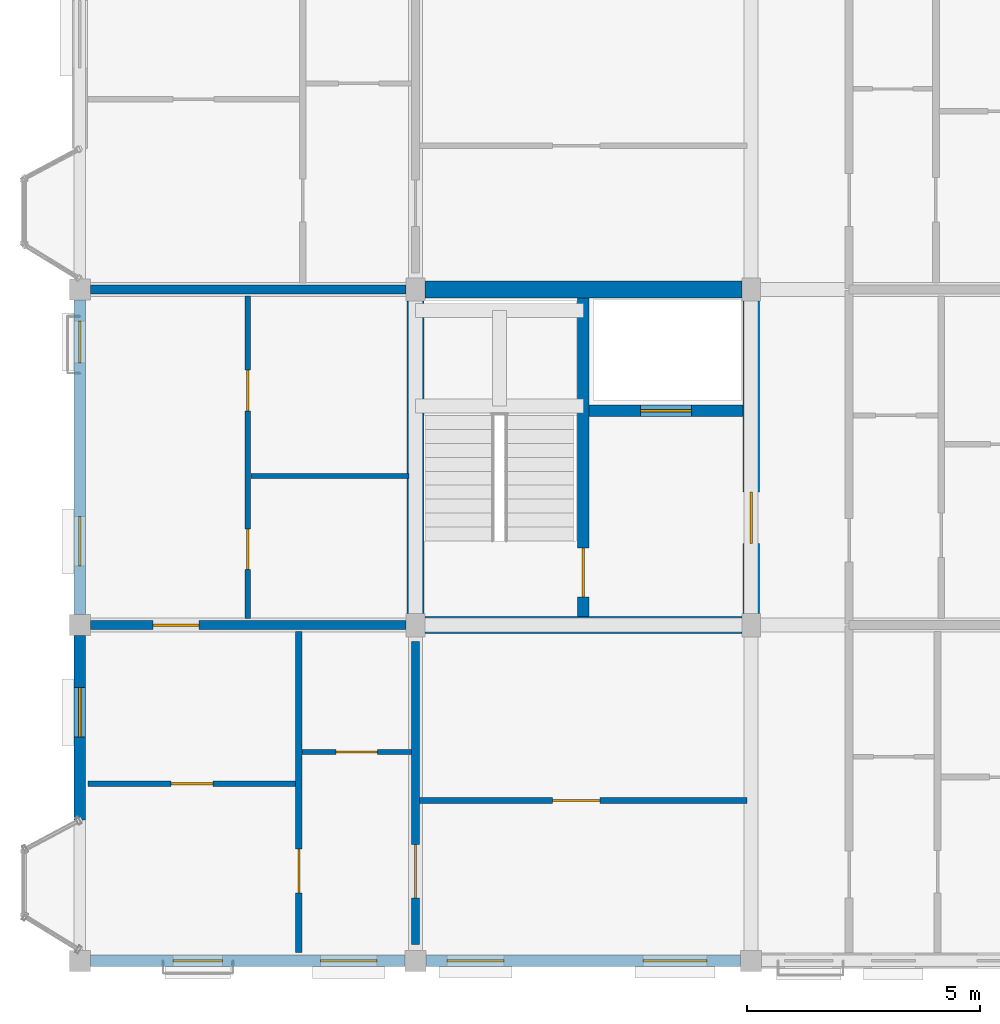
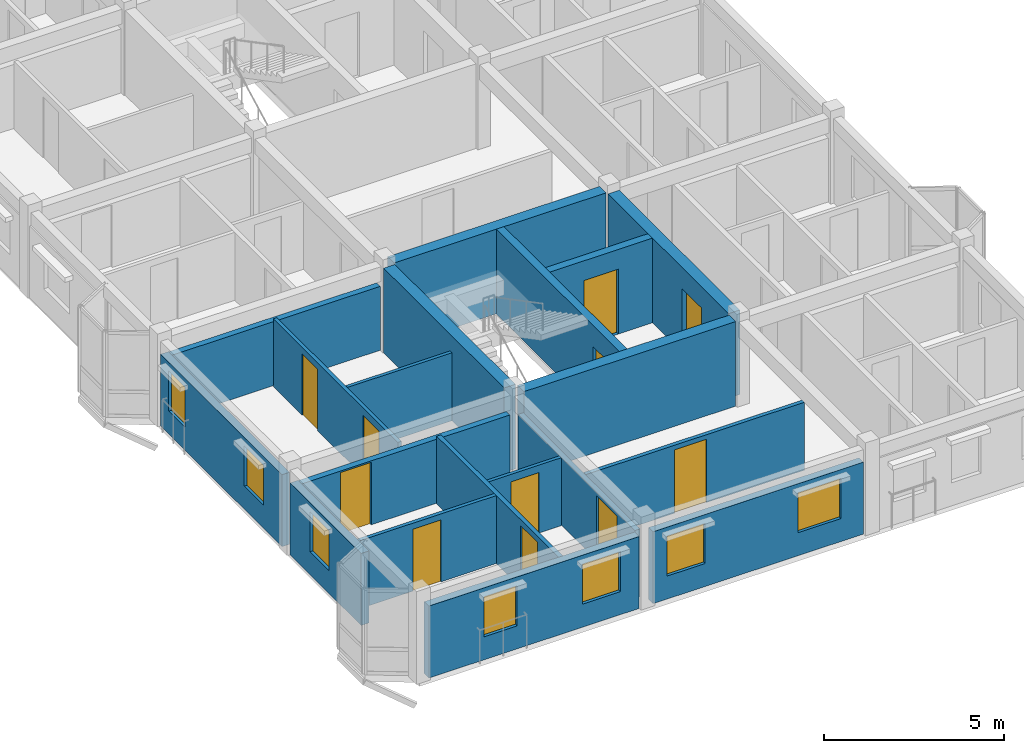
# One storey, part 16 of 28: 19 walls, 11 doors, 7 windows, 18 openings.
"""IFC4 building model written with IfcOpenShell, lengths in metres."""

from ifc_helpers import new_model, si_unit, direction, frame, frame_2d, origin, place, context, subcontext, project, spatial, rectangle, extrude, material, layer, layer_set, type_object, element, fill, save


model = new_model("IFC4")

# Units and contexts
model_context = context("Model", 3, precision=1e-05, world=origin(), true_north=direction((0.0, 1.0)))
body_context = subcontext(model_context, "Body", "Model", "MODEL_VIEW")
ifc_project = project(units=[si_unit("LENGTHUNIT", "METRE"), si_unit("AREAUNIT", "SQUARE_METRE"), si_unit("VOLUMEUNIT", "CUBIC_METRE"), si_unit("PLANEANGLEUNIT", "RADIAN"), si_unit("MASSUNIT", "GRAM", prefix="KILO"), si_unit("THERMODYNAMICTEMPERATUREUNIT", "KELVIN"), si_unit("POWERUNIT", "WATT")], contexts=[model_context])

# Site, building, storey
site_placement = place(None, origin())
site = spatial("IfcSite", under=ifc_project, at=site_placement, CompositionType="ELEMENT")
building_placement = place(site_placement, origin())
building = spatial("IfcBuilding", under=site, at=building_placement, Name="Tavuni Mirador Residences", CompositionType="ELEMENT")
storey_placement = place(building_placement, frame((0.0, 0.0, 39.14990234375)))
storey = spatial("IfcBuildingStorey", under=building, at=storey_placement, Name="L12", CompositionType="ELEMENT", Elevation=39.14990234375)

# Wall, opening, door
ifc_material_1 = material(Name="Precast concrete C40/50", Category="concrete")
ifc_layer_1 = layer(ifc_material_1, 0.25, Name="Precast concrete C40/50", Category="concrete")
ifc_layer_set_1 = layer_set([ifc_layer_1], Name="Precast concrete C40/50")
wall_type_1 = type_object("IfcWallType", Name="WT-COR250", PredefinedType="SHEAR", material=ifc_layer_set_1)
wall_1_placement = place(storey_placement, frame((14.39990234375, 14.580078125, 0.0), z_axis=(0.0, 0.0, 1.0), x_axis=(0.0, 1.0, 0.0)))
wall_1 = element("IfcWall", 1, at=wall_1_placement, inside=storey, type_object=wall_type_1, Name="CWALL-C1-L12-MID", PredefinedType="SHEAR", context=body_context, shape_type="SweptSolid", body=[
    extrude(rectangle(XDim=6.83984375, YDim=0.25, at=frame_2d((3.419921875, 0.0))), origin(), (0.0, 0.0, 1.0), 2.8701171875),
])
opening_1_placement = place(wall_1_placement, frame((0.419921875, 0.0, 0.0)))
opening_1 = element("IfcOpeningElement", 2, at=opening_1_placement, cuts=wall_1, Name="Opening D-01", PredefinedType="OPENING", context=body_context, shape_type="SweptSolid", body=[
    extrude(rectangle(XDim=1.050048828125, YDim=2.14990234375, at=frame_2d((0.52490234375, 1.074951171875))), frame((0.0, 0.135009765625, 0.0), z_axis=(0.0, -1.0, 0.0), x_axis=(1.0, 0.0, 0.0)), (0.0, 0.0, 1.0), 0.27001953125),
])
ifc_material_2 = material(Name="Solid core iroko timber", Category="wood")
door_type_1 = type_object("IfcDoorType", Name="DT-ST1050", OperationType="NOTDEFINED", PredefinedType="DOOR", material=ifc_material_2)
door_1_placement = place(opening_1_placement, origin())
door_1 = element("IfcDoor", 3, at=door_1_placement, inside=storey, type_object=door_type_1, Name="DR-2043", OperationType="SINGLE_SWING_LEFT", OverallHeight=2.14990234375, OverallWidth=1.050048828125, PredefinedType="DOOR", context=body_context, shape_type="SweptSolid", body=[
    extrude(rectangle(XDim=1.050048828125, YDim=2.14990234375, at=frame_2d((0.52490234375, 1.074951171875))), frame((0.0, 0.02490234375, 0.0), z_axis=(0.0, -1.0, 0.0), x_axis=(1.0, 0.0, 0.0)), (0.0, 0.0, 1.0), 0.050048828125),
])
fill(opening_1, door_1)

wall_2_placement = place(storey_placement, frame((14.52490234375, 19.0, 0.0), z_axis=(0.0, 0.0, 1.0), x_axis=(1.0, 0.0, 0.0)))
wall_2 = element("IfcWall", 4, at=wall_2_placement, inside=storey, type_object=wall_type_1, Name="CWALL-C1-L12-SHF", PredefinedType="SHEAR", context=body_context, shape_type="SweptSolid", body=[
    extrude(rectangle(XDim=3.295166015625, YDim=0.25, at=frame_2d((1.6474609375, 0.0))), origin(), (0.0, 0.0, 1.0), 2.8701171875),
])
opening_2_placement = place(wall_2_placement, frame((1.10009765625, 0.0, 0.0)))
opening_2 = element("IfcOpeningElement", 5, at=opening_2_placement, cuts=wall_2, Name="Opening LD-01", PredefinedType="OPENING", context=body_context, shape_type="SweptSolid", body=[
    extrude(rectangle(XDim=1.10009765625, YDim=2.199951171875, at=frame_2d((0.550048828125, 1.10009765625))), frame((0.0, 0.135009765625, 0.0), z_axis=(0.0, -1.0, 0.0), x_axis=(1.0, 0.0, 0.0)), (0.0, 0.0, 1.0), 0.27001953125),
])
ifc_material_3 = material(Name="Structural steel S355", Category="steel")
door_type_2 = type_object("IfcDoorType", Name="DT-LD-FF", OperationType="SLIDING_TO_LEFT", PredefinedType="DOOR", material=ifc_material_3)
door_2_placement = place(opening_2_placement, origin())
door_2 = element("IfcDoor", 6, at=door_2_placement, inside=storey, type_object=door_type_2, Name="Lift landing door FL-A1 L12", OperationType="SLIDING_TO_LEFT", OverallHeight=2.199951171875, OverallWidth=1.10009765625, PredefinedType="DOOR", context=body_context, shape_type="SweptSolid", body=[
    extrude(rectangle(XDim=1.10009765625, YDim=2.199951171875, at=frame_2d((0.550048828125, 1.10009765625))), frame((0.0, 0.02490234375, 0.0), z_axis=(0.0, -1.0, 0.0), x_axis=(1.0, 0.0, 0.0)), (0.0, 0.0, 1.0), 0.050048828125),
])
fill(opening_2, door_2)

# Walls
ifc_layer_2 = layer(ifc_material_1, 0.360107421875, Name="Precast concrete C40/50", Category="concrete")
ifc_layer_set_2 = layer_set([ifc_layer_2], Name="Precast concrete C40/50")
wall_type_2 = type_object("IfcWallType", Name="WT-COR360", PredefinedType="SHEAR", material=ifc_layer_set_2)
wall_3_placement = place(storey_placement, frame((10.800048828125, 14.64990234375, 0.0), z_axis=(0.0, 0.0, 1.0), x_axis=(0.0, 1.0, 0.0)))
element("IfcWall", 7, at=wall_3_placement, inside=storey, type_object=wall_type_2, Name="CWALL-C1-L12-W", PredefinedType="SHEAR", context=body_context, shape_type="SweptSolid", body=[
    extrude(rectangle(XDim=6.7001953125, YDim=0.360107421875, at=frame_2d((3.35009765625, 0.0))), origin(), (0.0, 0.0, 1.0), 2.8701171875),
])
wall_4_placement = place(storey_placement, frame((11.0, 21.60009765625, 0.0), z_axis=(0.0, 0.0, 1.0), x_axis=(1.0, 0.0, 0.0)))
element("IfcWall", 8, at=wall_4_placement, inside=storey, type_object=wall_type_2, Name="CWALL-C1-L12-N", PredefinedType="SHEAR", context=body_context, shape_type="SweptSolid", body=[
    extrude(rectangle(XDim=6.800048828125, YDim=0.360107421875, at=frame_2d((3.39990234375, 0.0))), origin(), (0.0, 0.0, 1.0), 2.8701171875),
])

# Wall, opening, door
wall_5_placement = place(storey_placement, frame((18.0, 14.64990234375, 0.0), z_axis=(0.0, 0.0, 1.0), x_axis=(0.0, 1.0, 0.0)))
wall_5 = element("IfcWall", 9, at=wall_5_placement, inside=storey, type_object=wall_type_2, Name="CWALL-C1-L12-E", PredefinedType="SHEAR", context=body_context, shape_type="SweptSolid", body=[
    extrude(rectangle(XDim=6.7001953125, YDim=0.360107421875, at=frame_2d((3.35009765625, 0.0))), origin(), (0.0, 0.0, 1.0), 2.8701171875),
])
opening_3_placement = place(wall_5_placement, frame((1.5, 0.0, 0.0)))
opening_3 = element("IfcOpeningElement", 10, at=opening_3_placement, cuts=wall_5, Name="Opening D-02", PredefinedType="OPENING", context=body_context, shape_type="SweptSolid", body=[
    extrude(rectangle(XDim=1.10009765625, YDim=2.14990234375, at=frame_2d((0.550048828125, 1.074951171875))), frame((0.0, 0.18994140625, 0.0), z_axis=(0.0, -1.0, 0.0), x_axis=(1.0, 0.0, 0.0)), (0.0, 0.0, 1.0), 0.380126953125),
])
door_type_3 = type_object("IfcDoorType", Name="DT-LOB1100", OperationType="NOTDEFINED", PredefinedType="DOOR", material=ifc_material_2)
door_3_placement = place(opening_3_placement, frame((1.10009765625, 0.0, 0.0), z_axis=(0.0, 0.0, 1.0), x_axis=(-1.0, 0.0, 0.0)))
door_3 = element("IfcDoor", 11, at=door_3_placement, inside=storey, type_object=door_type_3, Name="DR-2042", OperationType="SINGLE_SWING_LEFT", OverallHeight=2.14990234375, OverallWidth=1.10009765625, PredefinedType="DOOR", context=body_context, shape_type="SweptSolid", body=[
    extrude(rectangle(XDim=1.10009765625, YDim=2.14990234375, at=frame_2d((0.550048828125, 1.074951171875))), frame((0.0, 0.02490234375, 0.0), z_axis=(0.0, -1.0, 0.0), x_axis=(1.0, 0.0, 0.0)), (0.0, 0.0, 1.0), 0.050048828125),
])
fill(opening_3, door_3)

# Wall
wall_6_placement = place(storey_placement, frame((11.0, 14.39990234375, 0.0), z_axis=(0.0, 0.0, 1.0), x_axis=(1.0, 0.0, 0.0)))
element("IfcWall", 12, at=wall_6_placement, inside=storey, type_object=wall_type_2, Name="CWALL-C1-L12-SS", PredefinedType="SHEAR", context=body_context, shape_type="SweptSolid", body=[
    extrude(rectangle(XDim=6.800048828125, YDim=0.360107421875, at=frame_2d((3.39990234375, 0.0))), origin(), (0.0, 0.0, 1.0), 2.8701171875),
])

# Wall, opening, door
ifc_layer_3 = layer(ifc_material_1, 0.1650390625, Name="Precast concrete C40/50", Category="concrete")
ifc_layer_set_3 = layer_set([ifc_layer_3], Name="Precast concrete C40/50")
wall_type_3 = type_object("IfcWallType", Name="WT-CORR165", PredefinedType="PARTITIONING", material=ifc_layer_set_3)
wall_7_placement = place(storey_placement, frame((10.800048828125, 7.550048828125, 0.0), z_axis=(0.0, 0.0, 1.0), x_axis=(0.0, 1.0, 0.0)))
wall_7 = element("IfcWall", 13, at=wall_7_placement, inside=storey, type_object=wall_type_3, Name="CORW-BLK-A-L12-1-00", PredefinedType="PARTITIONING", context=body_context, shape_type="SweptSolid", body=[
    extrude(rectangle(XDim=6.5, YDim=0.1650390625, at=frame_2d((3.25, 0.0))), origin(), (0.0, 0.0, 1.0), 2.30517578125),
])
opening_4_placement = place(wall_7_placement, frame((1.0, 0.0, 0.0)))
opening_4 = element("IfcOpeningElement", 14, at=opening_4_placement, cuts=wall_7, Name="Opening D-20", PredefinedType="OPENING", context=body_context, shape_type="SweptSolid", body=[
    extrude(rectangle(XDim=1.139892578125, YDim=2.179931640625, at=frame_2d((0.56982421875, 1.08984375))), frame((0.0, 0.092529296875, 0.0), z_axis=(0.0, -1.0, 0.0), x_axis=(1.0, 0.0, 0.0)), (0.0, 0.0, 1.0), 0.18505859375),
])
door_type_4 = type_object("IfcDoorType", Name="DT-FD60-1140", OperationType="NOTDEFINED", PredefinedType="DOOR", material=ifc_material_2)
door_4_placement = place(opening_4_placement, origin())
door_4 = element("IfcDoor", 15, at=door_4_placement, inside=storey, type_object=door_type_4, Name="DR-2498", OperationType="SINGLE_SWING_LEFT", OverallHeight=2.179931640625, OverallWidth=1.139892578125, PredefinedType="DOOR", context=body_context, shape_type="SweptSolid", body=[
    extrude(rectangle(XDim=1.139892578125, YDim=2.179931640625, at=frame_2d((0.56982421875, 1.08984375))), frame((0.0, 0.02490234375, 0.0), z_axis=(0.0, -1.0, 0.0), x_axis=(1.0, 0.0, 0.0)), (0.0, 0.0, 1.0), 0.050048828125),
])
fill(opening_4, door_4)

# Wall, openings, windows
ifc_material_4 = material(Name="Sgraffito lime-rendered precast concrete C40/50", Category="concrete")
ifc_layer_4 = layer(ifc_material_4, 0.2451171875, Name="Sgraffito lime-rendered precast concrete C40/50", Category="concrete")
ifc_layer_set_4 = layer_set([ifc_layer_4], Name="Sgraffito lime-rendered precast concrete C40/50")
wall_type_4 = type_object("IfcWallType", Name="WT-EXT-PC245", PredefinedType="SOLIDWALL", material=ifc_layer_set_4)
wall_8_placement = place(storey_placement, frame((11.02490234375, 7.199951171875, 0.0), z_axis=(0.0, 0.0, 1.0), x_axis=(1.0, 0.0, 0.0)))
wall_8 = element("IfcWall", 16, at=wall_8_placement, inside=storey, type_object=wall_type_4, Name="EW-BLK-A-L12-S01", PredefinedType="SOLIDWALL", context=body_context, shape_type="SweptSolid", body=[
    extrude(rectangle(XDim=6.75, YDim=0.2451171875, at=frame_2d((3.375, 0.0))), origin(), (0.0, 0.0, 1.0), 2.440185546875),
])
opening_5_placement = place(wall_8_placement, frame((0.449951171875, 0.0, 0.780029296875)))
opening_5 = element("IfcOpeningElement", 17, at=opening_5_placement, cuts=wall_8, Name="Opening WN-21", PredefinedType="OPENING", context=body_context, shape_type="SweptSolid", body=[
    extrude(rectangle(XDim=1.219970703125, YDim=1.360107421875, at=frame_2d((0.60986328125, 0.68017578125))), frame((0.0, 0.132568359375, 0.0), z_axis=(0.0, -1.0, 0.0), x_axis=(1.0, 0.0, 0.0)), (0.0, 0.0, 1.0), 0.26513671875),
])
opening_6_placement = place(wall_8_placement, frame((4.64990234375, 0.0, 0.780029296875)))
opening_6 = element("IfcOpeningElement", 18, at=opening_6_placement, cuts=wall_8, Name="Opening WN-23", PredefinedType="OPENING", context=body_context, shape_type="SweptSolid", body=[
    extrude(rectangle(XDim=1.3798828125, YDim=1.360107421875, at=frame_2d((0.68994140625, 0.68017578125))), frame((0.0, 0.132568359375, 0.0), z_axis=(0.0, -1.0, 0.0), x_axis=(1.0, 0.0, 0.0)), (0.0, 0.0, 1.0), 0.26513671875),
])
ifc_material_5 = material(Name="Laminated solar-control glass", Category="glass")
window_type_1 = type_object("IfcWindowType", Name="WNT-21", PartitioningType="SINGLE_PANEL", PredefinedType="WINDOW", material=ifc_material_5)
window_1_placement = place(opening_5_placement, origin())
window_1 = element("IfcWindow", 19, at=window_1_placement, inside=storey, type_object=window_type_1, Name="WIN-0428", OverallHeight=1.360107421875, OverallWidth=1.219970703125, PartitioningType="SINGLE_PANEL", PredefinedType="WINDOW", context=body_context, shape_type="SweptSolid", body=[
    extrude(rectangle(XDim=1.219970703125, YDim=1.360107421875, at=frame_2d((0.60986328125, 0.68017578125))), frame((0.0, 0.030029296875, 0.0), z_axis=(0.0, -1.0, 0.0), x_axis=(1.0, 0.0, 0.0)), (0.0, 0.0, 1.0), 0.06005859375),
])
fill(opening_5, window_1)
window_type_2 = type_object("IfcWindowType", Name="WNT-23", PartitioningType="SINGLE_PANEL", PredefinedType="WINDOW", material=ifc_material_5)
window_2_placement = place(opening_6_placement, origin())
window_2 = element("IfcWindow", 20, at=window_2_placement, inside=storey, type_object=window_type_2, Name="WIN-0429", OverallHeight=1.360107421875, OverallWidth=1.3798828125, PartitioningType="SINGLE_PANEL", PredefinedType="WINDOW", context=body_context, shape_type="SweptSolid", body=[
    extrude(rectangle(XDim=1.3798828125, YDim=1.360107421875, at=frame_2d((0.68994140625, 0.68017578125))), frame((0.0, 0.030029296875, 0.0), z_axis=(0.0, -1.0, 0.0), x_axis=(1.0, 0.0, 0.0)), (0.0, 0.0, 1.0), 0.06005859375),
])
fill(opening_6, window_2)

wall_9_placement = place(storey_placement, frame((3.60009765625, 21.375, 0.0), z_axis=(0.0, 0.0, 1.0), x_axis=(0.0, -1.0, 0.0)))
wall_9 = element("IfcWall", 21, at=wall_9_placement, inside=storey, type_object=wall_type_4, Name="EW-BLK-A-L12-W01", PredefinedType="SOLIDWALL", context=body_context, shape_type="SweptSolid", body=[
    extrude(rectangle(XDim=6.75, YDim=0.2451171875, at=frame_2d((3.375, 0.0))), origin(), (0.0, 0.0, 1.0), 2.440185546875),
])
opening_7_placement = place(wall_9_placement, frame((0.449951171875, 0.0, 0.780029296875)))
opening_7 = element("IfcOpeningElement", 22, at=opening_7_placement, cuts=wall_9, Name="Opening WN-17", PredefinedType="OPENING", context=body_context, shape_type="SweptSolid", body=[
    extrude(rectangle(XDim=0.89990234375, YDim=1.360107421875, at=frame_2d((0.449951171875, 0.68017578125))), frame((0.0, 0.132568359375, 0.0), z_axis=(0.0, -1.0, 0.0), x_axis=(1.0, 0.0, 0.0)), (0.0, 0.0, 1.0), 0.26513671875),
])
opening_8_placement = place(wall_9_placement, frame((4.64990234375, 0.0, 0.780029296875)))
opening_8 = element("IfcOpeningElement", 23, at=opening_8_placement, cuts=wall_9, Name="Opening WN-19", PredefinedType="OPENING", context=body_context, shape_type="SweptSolid", body=[
    extrude(rectangle(XDim=1.06005859375, YDim=1.360107421875, at=frame_2d((0.530029296875, 0.68017578125))), frame((0.0, 0.132568359375, 0.0), z_axis=(0.0, -1.0, 0.0), x_axis=(1.0, 0.0, 0.0)), (0.0, 0.0, 1.0), 0.26513671875),
])
window_type_3 = type_object("IfcWindowType", Name="WNT-17", PartitioningType="SINGLE_PANEL", PredefinedType="WINDOW", material=ifc_material_5)
window_3_placement = place(opening_7_placement, origin())
window_3 = element("IfcWindow", 24, at=window_3_placement, inside=storey, type_object=window_type_3, Name="WIN-0454", OverallHeight=1.360107421875, OverallWidth=0.89990234375, PartitioningType="SINGLE_PANEL", PredefinedType="WINDOW", context=body_context, shape_type="SweptSolid", body=[
    extrude(rectangle(XDim=0.89990234375, YDim=1.360107421875, at=frame_2d((0.449951171875, 0.68017578125))), frame((0.0, 0.030029296875, 0.0), z_axis=(0.0, -1.0, 0.0), x_axis=(1.0, 0.0, 0.0)), (0.0, 0.0, 1.0), 0.06005859375),
])
fill(opening_7, window_3)
window_type_4 = type_object("IfcWindowType", Name="WNT-19", PartitioningType="SINGLE_PANEL", PredefinedType="WINDOW", material=ifc_material_5)
window_4_placement = place(opening_8_placement, origin())
window_4 = element("IfcWindow", 25, at=window_4_placement, inside=storey, type_object=window_type_4, Name="WIN-0455", OverallHeight=1.360107421875, OverallWidth=1.06005859375, PartitioningType="SINGLE_PANEL", PredefinedType="WINDOW", context=body_context, shape_type="SweptSolid", body=[
    extrude(rectangle(XDim=1.06005859375, YDim=1.360107421875, at=frame_2d((0.530029296875, 0.68017578125))), frame((0.0, 0.030029296875, 0.0), z_axis=(0.0, -1.0, 0.0), x_axis=(1.0, 0.0, 0.0)), (0.0, 0.0, 1.0), 0.06005859375),
])
fill(opening_8, window_4)

ifc_layer_5 = layer(ifc_material_4, 0.2548828125, Name="Sgraffito lime-rendered precast concrete C40/50", Category="concrete")
ifc_layer_set_5 = layer_set([ifc_layer_5], Name="Sgraffito lime-rendered precast concrete C40/50")
wall_type_5 = type_object("IfcWallType", Name="WT-EXT-PC255", PredefinedType="SOLIDWALL", material=ifc_layer_set_5)
wall_10_placement = place(storey_placement, frame((3.824951171875, 7.199951171875, 0.0), z_axis=(0.0, 0.0, 1.0), x_axis=(1.0, 0.0, 0.0)))
wall_10 = element("IfcWall", 26, at=wall_10_placement, inside=storey, type_object=wall_type_5, Name="EW-BLK-A-L12-S00", PredefinedType="SOLIDWALL", context=body_context, shape_type="SweptSolid", body=[
    extrude(rectangle(XDim=6.75, YDim=0.2548828125, at=frame_2d((3.375, 0.0))), origin(), (0.0, 0.0, 1.0), 2.440185546875),
])
opening_9_placement = place(wall_10_placement, frame((1.777587890625, 0.0, 0.780029296875)))
opening_9 = element("IfcOpeningElement", 27, at=opening_9_placement, cuts=wall_10, Name="Opening WN-19", PredefinedType="OPENING", context=body_context, shape_type="SweptSolid", body=[
    extrude(rectangle(XDim=1.06005859375, YDim=1.360107421875, at=frame_2d((0.530029296875, 0.68017578125))), frame((0.0, 0.137451171875, 0.0), z_axis=(0.0, -1.0, 0.0), x_axis=(1.0, 0.0, 0.0)), (0.0, 0.0, 1.0), 0.27490234375),
])
opening_10_placement = place(wall_10_placement, frame((4.9326171875, 0.0, 0.780029296875)))
opening_10 = element("IfcOpeningElement", 28, at=opening_10_placement, cuts=wall_10, Name="Opening WN-21", PredefinedType="OPENING", context=body_context, shape_type="SweptSolid", body=[
    extrude(rectangle(XDim=1.219970703125, YDim=1.360107421875, at=frame_2d((0.60986328125, 0.68017578125))), frame((0.0, 0.137451171875, 0.0), z_axis=(0.0, -1.0, 0.0), x_axis=(1.0, 0.0, 0.0)), (0.0, 0.0, 1.0), 0.27490234375),
])
window_5_placement = place(opening_9_placement, origin())
window_5 = element("IfcWindow", 29, at=window_5_placement, inside=storey, type_object=window_type_4, Name="WIN-0426", OverallHeight=1.360107421875, OverallWidth=1.06005859375, PartitioningType="SINGLE_PANEL", PredefinedType="WINDOW", context=body_context, shape_type="SweptSolid", body=[
    extrude(rectangle(XDim=1.06005859375, YDim=1.360107421875, at=frame_2d((0.530029296875, 0.68017578125))), frame((0.0, 0.030029296875, 0.0), z_axis=(0.0, -1.0, 0.0), x_axis=(1.0, 0.0, 0.0)), (0.0, 0.0, 1.0), 0.06005859375),
])
fill(opening_9, window_5)
window_6_placement = place(opening_10_placement, origin())
window_6 = element("IfcWindow", 30, at=window_6_placement, inside=storey, type_object=window_type_1, Name="WIN-0427", OverallHeight=1.360107421875, OverallWidth=1.219970703125, PartitioningType="SINGLE_PANEL", PredefinedType="WINDOW", context=body_context, shape_type="SweptSolid", body=[
    extrude(rectangle(XDim=1.219970703125, YDim=1.360107421875, at=frame_2d((0.60986328125, 0.68017578125))), frame((0.0, 0.030029296875, 0.0), z_axis=(0.0, -1.0, 0.0), x_axis=(1.0, 0.0, 0.0)), (0.0, 0.0, 1.0), 0.06005859375),
])
fill(opening_10, window_6)

# Wall, opening, window
wall_11_placement = place(storey_placement, frame((3.60009765625, 14.175048828125, 0.0), z_axis=(0.0, 0.0, 1.0), x_axis=(0.0, -1.0, 0.0)))
wall_11 = element("IfcWall", 31, at=wall_11_placement, inside=storey, type_object=wall_type_5, Name="EW-BLK-A-L12-W00", PredefinedType="SOLIDWALL", context=body_context, shape_type="SweptSolid", body=[
    extrude(rectangle(XDim=3.955078125, YDim=0.2548828125, at=frame_2d((1.9775390625, 0.0))), origin(), (0.0, 0.0, 1.0), 2.440185546875),
])
opening_11_placement = place(wall_11_placement, frame((1.112548828125, 0.0, 0.780029296875)))
opening_11 = element("IfcOpeningElement", 32, at=opening_11_placement, cuts=wall_11, Name="Opening WN-19", PredefinedType="OPENING", context=body_context, shape_type="SweptSolid", body=[
    extrude(rectangle(XDim=1.06005859375, YDim=1.360107421875, at=frame_2d((0.530029296875, 0.68017578125))), frame((0.0, 0.137451171875, 0.0), z_axis=(0.0, -1.0, 0.0), x_axis=(1.0, 0.0, 0.0)), (0.0, 0.0, 1.0), 0.27490234375),
])
window_7_placement = place(opening_11_placement, origin())
window_7 = element("IfcWindow", 33, at=window_7_placement, inside=storey, type_object=window_type_4, Name="WIN-0456", OverallHeight=1.360107421875, OverallWidth=1.06005859375, PartitioningType="SINGLE_PANEL", PredefinedType="WINDOW", context=body_context, shape_type="SweptSolid", body=[
    extrude(rectangle(XDim=1.06005859375, YDim=1.360107421875, at=frame_2d((0.530029296875, 0.68017578125))), frame((0.0, 0.030029296875, 0.0), z_axis=(0.0, -1.0, 0.0), x_axis=(1.0, 0.0, 0.0)), (0.0, 0.0, 1.0), 0.06005859375),
])
fill(opening_11, window_7)

# Wall, opening, door
ifc_material_6 = material(Name="Acoustic gypsum and concrete block partition", Category="concrete")
ifc_layer_6 = layer(ifc_material_6, 0.10498046875, Name="Acoustic gypsum and concrete block partition", Category="concrete")
ifc_layer_set_6 = layer_set([ifc_layer_6], Name="Acoustic gypsum and concrete block partition")
wall_type_6 = type_object("IfcWallType", Name="WT-PART105", PredefinedType="PARTITIONING", material=ifc_layer_set_6)
wall_12_placement = place(storey_placement, frame((8.3701171875, 11.679931640625, 0.0), z_axis=(0.0, 0.0, 1.0), x_axis=(1.0, 0.0, 0.0)))
wall_12 = element("IfcWall", 34, at=wall_12_placement, inside=storey, type_object=wall_type_6, Name="PW-BLK-A-L12-W00-IN1", PredefinedType="PARTITIONING", context=body_context, shape_type="SweptSolid", body=[
    extrude(rectangle(XDim=2.33984375, YDim=0.10498046875, at=frame_2d((1.169921875, 0.0))), origin(), (0.0, 0.0, 1.0), 2.30517578125),
])
opening_12_placement = place(wall_12_placement, frame((0.719970703125, 0.0, 0.0)))
opening_12 = element("IfcOpeningElement", 35, at=opening_12_placement, cuts=wall_12, Name="Opening D-09", PredefinedType="OPENING", context=body_context, shape_type="SweptSolid", body=[
    extrude(rectangle(XDim=0.89990234375, YDim=2.050048828125, at=frame_2d((0.449951171875, 1.02490234375))), frame((0.0, 0.0625, 0.0), z_axis=(0.0, -1.0, 0.0), x_axis=(1.0, 0.0, 0.0)), (0.0, 0.0, 1.0), 0.125),
])
door_type_5 = type_object("IfcDoorType", Name="DT-WC900", OperationType="NOTDEFINED", PredefinedType="DOOR", material=ifc_material_2)
door_5_placement = place(opening_12_placement, origin())
door_5 = element("IfcDoor", 36, at=door_5_placement, inside=storey, type_object=door_type_5, Name="DR-3318", OperationType="SINGLE_SWING_RIGHT", OverallHeight=2.050048828125, OverallWidth=0.89990234375, PredefinedType="DOOR", context=body_context, shape_type="SweptSolid", body=[
    extrude(rectangle(XDim=0.89990234375, YDim=2.050048828125, at=frame_2d((0.449951171875, 1.02490234375))), frame((0.0, 0.02490234375, 0.0), z_axis=(0.0, -1.0, 0.0), x_axis=(1.0, 0.0, 0.0)), (0.0, 0.0, 1.0), 0.050048828125),
])
fill(opening_12, door_5)

# Wall
wall_13_placement = place(storey_placement, frame((7.27001953125, 17.60009765625, 0.0), z_axis=(0.0, 0.0, 1.0), x_axis=(1.0, 0.0, 0.0)))
element("IfcWall", 37, at=wall_13_placement, inside=storey, type_object=wall_type_6, Name="PW-BLK-A-L12-WC01-H", PredefinedType="PARTITIONING", context=body_context, shape_type="SweptSolid", body=[
    extrude(rectangle(XDim=3.389892578125, YDim=0.10498046875, at=frame_2d((1.69482421875, 0.0))), origin(), (0.0, 0.0, 1.0), 2.30517578125),
])

# Wall, opening, door
ifc_layer_7 = layer(ifc_material_6, 0.114990234375, Name="Acoustic gypsum and concrete block partition", Category="concrete")
ifc_layer_set_7 = layer_set([ifc_layer_7], Name="Acoustic gypsum and concrete block partition")
wall_type_7 = type_object("IfcWallType", Name="WT-PART115", PredefinedType="PARTITIONING", material=ifc_layer_set_7)
wall_14_placement = place(storey_placement, frame((3.77490234375, 11.0, 0.0), z_axis=(0.0, 0.0, 1.0), x_axis=(1.0, 0.0, 0.0)))
wall_14 = element("IfcWall", 38, at=wall_14_placement, inside=storey, type_object=wall_type_7, Name="PW-BLK-A-L12-W00-OUT", PredefinedType="PARTITIONING", context=body_context, shape_type="SweptSolid", body=[
    extrude(rectangle(XDim=4.455078125, YDim=0.114990234375, at=frame_2d((2.2275390625, 0.0))), origin(), (0.0, 0.0, 1.0), 2.30517578125),
])
opening_13_placement = place(wall_14_placement, frame((1.777587890625, 0.0, 0.0)))
opening_13 = element("IfcOpeningElement", 39, at=opening_13_placement, cuts=wall_14, Name="Opening D-07", PredefinedType="OPENING", context=body_context, shape_type="SweptSolid", body=[
    extrude(rectangle(XDim=0.89990234375, YDim=2.10009765625, at=frame_2d((0.449951171875, 1.050048828125))), frame((0.0, 0.0673828125, 0.0), z_axis=(0.0, -1.0, 0.0), x_axis=(1.0, 0.0, 0.0)), (0.0, 0.0, 1.0), 0.135009765625),
])
door_type_6 = type_object("IfcDoorType", Name="DT-BED900", OperationType="NOTDEFINED", PredefinedType="DOOR", material=ifc_material_2)
door_6_placement = place(opening_13_placement, origin())
door_6 = element("IfcDoor", 40, at=door_6_placement, inside=storey, type_object=door_type_6, Name="DR-3317", OperationType="SINGLE_SWING_LEFT", OverallHeight=2.10009765625, OverallWidth=0.89990234375, PredefinedType="DOOR", context=body_context, shape_type="SweptSolid", body=[
    extrude(rectangle(XDim=0.89990234375, YDim=2.10009765625, at=frame_2d((0.449951171875, 1.050048828125))), frame((0.0, 0.02490234375, 0.0), z_axis=(0.0, -1.0, 0.0), x_axis=(1.0, 0.0, 0.0)), (0.0, 0.0, 1.0), 0.050048828125),
])
fill(opening_13, door_6)

# Wall, openings, doors
wall_15_placement = place(storey_placement, frame((7.199951171875, 14.5400390625, 0.0), z_axis=(0.0, 0.0, 1.0), x_axis=(0.0, 1.0, 0.0)))
wall_15 = element("IfcWall", 41, at=wall_15_placement, inside=storey, type_object=wall_type_7, Name="PW-BLK-A-L12-WC01-M", PredefinedType="PARTITIONING", context=body_context, shape_type="SweptSolid", body=[
    extrude(rectangle(XDim=6.919921875, YDim=0.114990234375, at=frame_2d((3.4599609375, 0.0))), origin(), (0.0, 0.0, 1.0), 2.30517578125),
])
opening_14_placement = place(wall_15_placement, frame((1.050048828125, 0.0, 0.0)))
opening_14 = element("IfcOpeningElement", 42, at=opening_14_placement, cuts=wall_15, Name="Opening D-10", PredefinedType="OPENING", context=body_context, shape_type="SweptSolid", body=[
    extrude(rectangle(XDim=0.8701171875, YDim=2.050048828125, at=frame_2d((0.43505859375, 1.02490234375))), frame((0.0, 0.0673828125, 0.0), z_axis=(0.0, -1.0, 0.0), x_axis=(1.0, 0.0, 0.0)), (0.0, 0.0, 1.0), 0.135009765625),
])
opening_15_placement = place(wall_15_placement, frame((4.449951171875, 0.0, 0.0)))
opening_15 = element("IfcOpeningElement", 43, at=opening_15_placement, cuts=wall_15, Name="Opening D-08", PredefinedType="OPENING", context=body_context, shape_type="SweptSolid", body=[
    extrude(rectangle(XDim=0.8798828125, YDim=2.080078125, at=frame_2d((0.43994140625, 1.0400390625))), frame((0.0, 0.0673828125, 0.0), z_axis=(0.0, -1.0, 0.0), x_axis=(1.0, 0.0, 0.0)), (0.0, 0.0, 1.0), 0.135009765625),
])
door_type_7 = type_object("IfcDoorType", Name="DT-BED880", OperationType="NOTDEFINED", PredefinedType="DOOR", material=ifc_material_2)
door_7_placement = place(opening_15_placement, origin())
door_7 = element("IfcDoor", 44, at=door_7_placement, inside=storey, type_object=door_type_7, Name="DR-3324", OperationType="SINGLE_SWING_LEFT", OverallHeight=2.080078125, OverallWidth=0.8798828125, PredefinedType="DOOR", context=body_context, shape_type="SweptSolid", body=[
    extrude(rectangle(XDim=0.8798828125, YDim=2.080078125, at=frame_2d((0.43994140625, 1.0400390625))), frame((0.0, 0.02490234375, 0.0), z_axis=(0.0, -1.0, 0.0), x_axis=(1.0, 0.0, 0.0)), (0.0, 0.0, 1.0), 0.050048828125),
])
fill(opening_15, door_7)
door_type_8 = type_object("IfcDoorType", Name="DT-WC870", OperationType="NOTDEFINED", PredefinedType="DOOR", material=ifc_material_2)
door_8_placement = place(opening_14_placement, origin())
door_8 = element("IfcDoor", 45, at=door_8_placement, inside=storey, type_object=door_type_8, Name="DR-3323", OperationType="SINGLE_SWING_RIGHT", OverallHeight=2.050048828125, OverallWidth=0.8701171875, PredefinedType="DOOR", context=body_context, shape_type="SweptSolid", body=[
    extrude(rectangle(XDim=0.8701171875, YDim=2.050048828125, at=frame_2d((0.43505859375, 1.02490234375))), frame((0.0, 0.02490234375, 0.0), z_axis=(0.0, -1.0, 0.0), x_axis=(1.0, 0.0, 0.0)), (0.0, 0.0, 1.0), 0.050048828125),
])
fill(opening_14, door_8)

# Wall, opening, door
ifc_layer_8 = layer(ifc_material_6, 0.125, Name="Acoustic gypsum and concrete block partition", Category="concrete")
ifc_layer_set_8 = layer_set([ifc_layer_8], Name="Acoustic gypsum and concrete block partition")
wall_type_8 = type_object("IfcWallType", Name="WT-PART125", PredefinedType="PARTITIONING", material=ifc_layer_set_8)
wall_16_placement = place(storey_placement, frame((10.889892578125, 10.639892578125, 0.0), z_axis=(0.0, 0.0, 1.0), x_axis=(1.0, 0.0, 0.0)))
wall_16 = element("IfcWall", 46, at=wall_16_placement, inside=storey, type_object=wall_type_8, Name="PW-SPN-BLK-A-L12-00", PredefinedType="PARTITIONING", context=body_context, shape_type="SweptSolid", body=[
    extrude(rectangle(XDim=7.02001953125, YDim=0.125, at=frame_2d((3.510009765625, 0.0))), origin(), (0.0, 0.0, 1.0), 2.30517578125),
])
opening_16_placement = place(wall_16_placement, frame((2.85009765625, 0.0, 0.0)))
opening_16 = element("IfcOpeningElement", 47, at=opening_16_placement, cuts=wall_16, Name="Opening D-13", PredefinedType="OPENING", context=body_context, shape_type="SweptSolid", body=[
    extrude(rectangle(XDim=1.02001953125, YDim=2.14990234375, at=frame_2d((0.510009765625, 1.074951171875))), frame((0.0, 0.072509765625, 0.0), z_axis=(0.0, -1.0, 0.0), x_axis=(1.0, 0.0, 0.0)), (0.0, 0.0, 1.0), 0.14501953125),
])
door_type_9 = type_object("IfcDoorType", Name="DT-MTG1020", OperationType="NOTDEFINED", PredefinedType="DOOR", material=ifc_material_2)
door_9_placement = place(opening_16_placement, origin())
door_9 = element("IfcDoor", 48, at=door_9_placement, inside=storey, type_object=door_type_9, Name="DR-3316", OperationType="SINGLE_SWING_LEFT", OverallHeight=2.14990234375, OverallWidth=1.02001953125, PredefinedType="DOOR", context=body_context, shape_type="SweptSolid", body=[
    extrude(rectangle(XDim=1.02001953125, YDim=2.14990234375, at=frame_2d((0.510009765625, 1.074951171875))), frame((0.0, 0.02490234375, 0.0), z_axis=(0.0, -1.0, 0.0), x_axis=(1.0, 0.0, 0.0)), (0.0, 0.0, 1.0), 0.050048828125),
])
fill(opening_16, door_9)

ifc_layer_9 = layer(ifc_material_6, 0.139892578125, Name="Acoustic gypsum and concrete block partition", Category="concrete")
ifc_layer_set_9 = layer_set([ifc_layer_9], Name="Acoustic gypsum and concrete block partition")
wall_type_9 = type_object("IfcWallType", Name="WT-PART140", PredefinedType="PARTITIONING", material=ifc_layer_set_9)
wall_17_placement = place(storey_placement, frame((8.300048828125, 7.375, 0.0), z_axis=(0.0, 0.0, 1.0), x_axis=(0.0, 1.0, 0.0)))
wall_17 = element("IfcWall", 49, at=wall_17_placement, inside=storey, type_object=wall_type_9, Name="PW-BLK-A-L12-W00-MID", PredefinedType="PARTITIONING", context=body_context, shape_type="SweptSolid", body=[
    extrude(rectangle(XDim=6.885009765625, YDim=0.139892578125, at=frame_2d((3.4423828125, 0.0))), origin(), (0.0, 0.0, 1.0), 2.30517578125),
])
opening_17_placement = place(wall_17_placement, frame((1.27490234375, 0.0, 0.0)))
opening_17 = element("IfcOpeningElement", 50, at=opening_17_placement, cuts=wall_17, Name="Opening D-05", PredefinedType="OPENING", context=body_context, shape_type="SweptSolid", body=[
    extrude(rectangle(XDim=0.949951171875, YDim=2.10009765625, at=frame_2d((0.47509765625, 1.050048828125))), frame((0.0, 0.080078125, 0.0), z_axis=(0.0, -1.0, 0.0), x_axis=(1.0, 0.0, 0.0)), (0.0, 0.0, 1.0), 0.159912109375),
])
door_type_10 = type_object("IfcDoorType", Name="DT-INT950", OperationType="NOTDEFINED", PredefinedType="DOOR", material=ifc_material_2)
door_10_placement = place(opening_17_placement, origin())
door_10 = element("IfcDoor", 51, at=door_10_placement, inside=storey, type_object=door_type_10, Name="DR-3319", OperationType="SINGLE_SWING_LEFT", OverallHeight=2.10009765625, OverallWidth=0.949951171875, PredefinedType="DOOR", context=body_context, shape_type="SweptSolid", body=[
    extrude(rectangle(XDim=0.949951171875, YDim=2.10009765625, at=frame_2d((0.47509765625, 1.050048828125))), frame((0.0, 0.02490234375, 0.0), z_axis=(0.0, -1.0, 0.0), x_axis=(1.0, 0.0, 0.0)), (0.0, 0.0, 1.0), 0.050048828125),
])
fill(opening_17, door_10)

ifc_layer_10 = layer(ifc_material_1, 0.195068359375, Name="Precast concrete C40/50", Category="concrete")
ifc_layer_set_10 = layer_set([ifc_layer_10], Name="Precast concrete C40/50")
wall_type_10 = type_object("IfcWallType", Name="WT-XW195", PredefinedType="SOLIDWALL", material=ifc_layer_set_10)
wall_18_placement = place(storey_placement, frame((3.824951171875, 14.39990234375, 0.0), z_axis=(0.0, 0.0, 1.0), x_axis=(1.0, 0.0, 0.0)))
wall_18 = element("IfcWall", 52, at=wall_18_placement, inside=storey, type_object=wall_type_10, Name="XW-BLK-A-L12-W-01", PredefinedType="SOLIDWALL", context=body_context, shape_type="SweptSolid", body=[
    extrude(rectangle(XDim=6.775146484375, YDim=0.195068359375, at=frame_2d((3.3876953125, 0.0))), origin(), (0.0, 0.0, 1.0), 2.170166015625),
])
opening_18_placement = place(wall_18_placement, frame((1.35009765625, 0.0, 0.0)))
opening_18 = element("IfcOpeningElement", 53, at=opening_18_placement, cuts=wall_18, Name="Opening D-04", PredefinedType="OPENING", context=body_context, shape_type="SweptSolid", body=[
    extrude(rectangle(XDim=0.97998046875, YDim=2.1201171875, at=frame_2d((0.489990234375, 1.06005859375))), frame((0.0, 0.107421875, 0.0), z_axis=(0.0, -1.0, 0.0), x_axis=(1.0, 0.0, 0.0)), (0.0, 0.0, 1.0), 0.215087890625),
])
door_type_11 = type_object("IfcDoorType", Name="DT-FD60-980", OperationType="NOTDEFINED", PredefinedType="DOOR", material=ifc_material_2)
door_11_placement = place(opening_18_placement, origin())
door_11 = element("IfcDoor", 54, at=door_11_placement, inside=storey, type_object=door_type_11, Name="DR-4698", OperationType="SINGLE_SWING_LEFT", OverallHeight=2.1201171875, OverallWidth=0.97998046875, PredefinedType="DOOR", context=body_context, shape_type="SweptSolid", body=[
    extrude(rectangle(XDim=0.97998046875, YDim=2.1201171875, at=frame_2d((0.489990234375, 1.06005859375))), frame((0.0, 0.02490234375, 0.0), z_axis=(0.0, -1.0, 0.0), x_axis=(1.0, 0.0, 0.0)), (0.0, 0.0, 1.0), 0.050048828125),
])
fill(opening_18, door_11)

# Wall
wall_19_placement = place(storey_placement, frame((3.824951171875, 21.60009765625, 0.0), z_axis=(0.0, 0.0, 1.0), x_axis=(1.0, 0.0, 0.0)))
element("IfcWall", 55, at=wall_19_placement, inside=storey, type_object=wall_type_10, Name="XW-BLK-A-L12-W-02", PredefinedType="SOLIDWALL", context=body_context, shape_type="SweptSolid", body=[
    extrude(rectangle(XDim=6.775146484375, YDim=0.195068359375, at=frame_2d((3.3876953125, 0.0))), origin(), (0.0, 0.0, 1.0), 2.170166015625),
])

save(model, "model.ifc")
